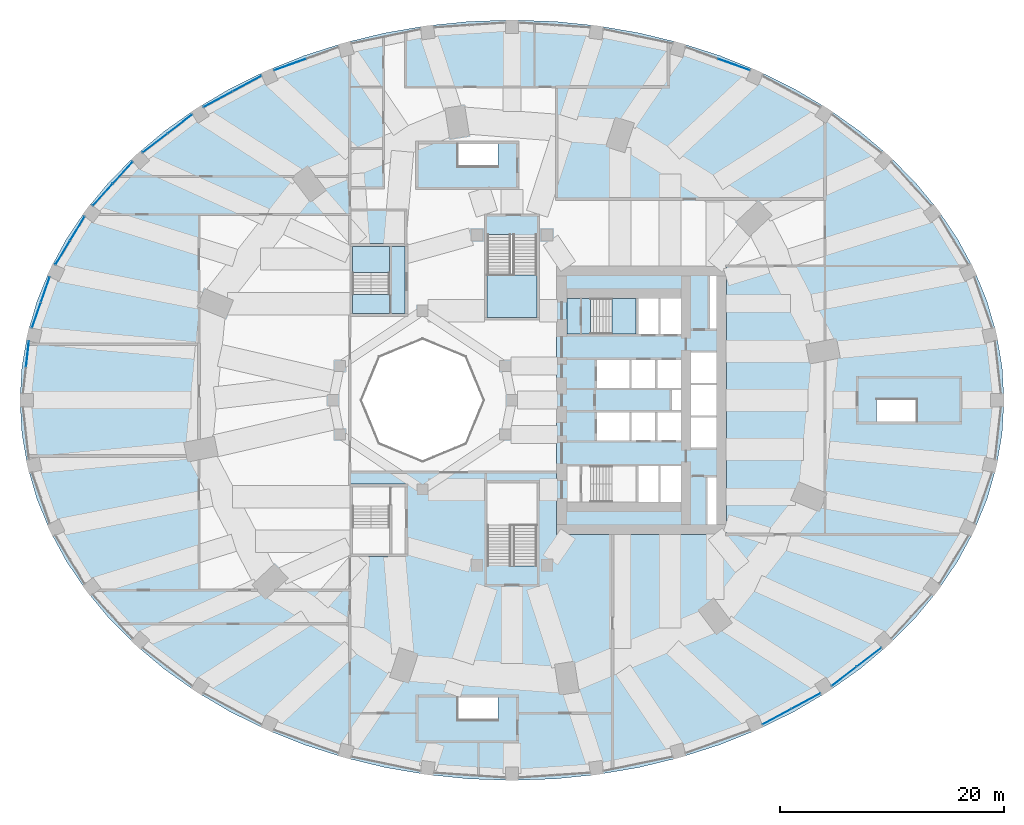
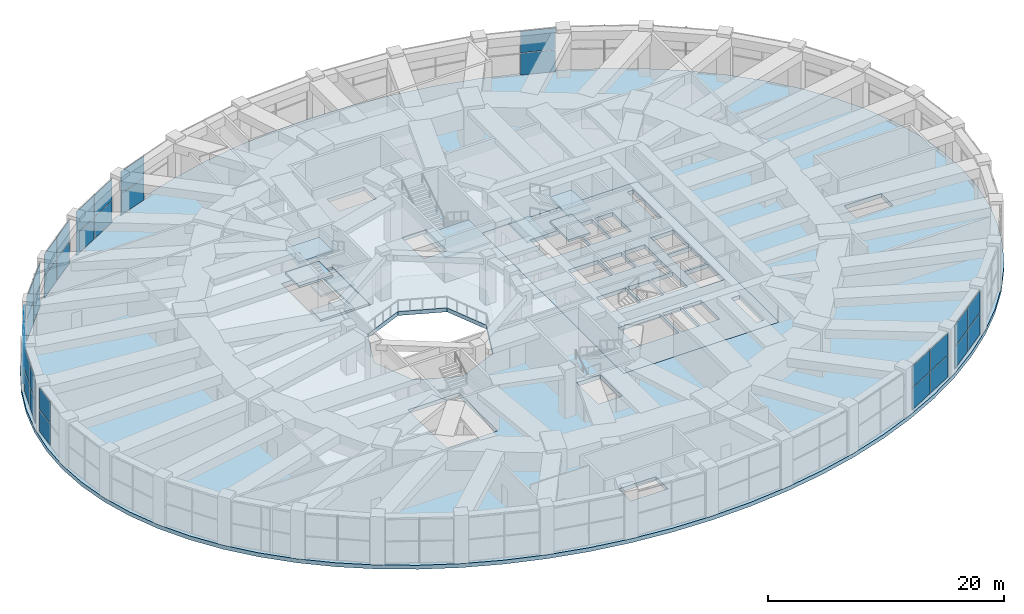
# One storey, part 19 of 30: 34 plates, 11 slabs, 13 elements without a shape of their own.
"""IFC4 building model written with IfcOpenShell, lengths in metres."""

from ifc_helpers import new_model, si_unit, direction, frame, origin, origin_2d, place, context, subcontext, project, spatial, polyline, rectangle, outline, extrude, material, layer, layer_set, type_object, element, aggregate, save


model = new_model("IFC4")

# Units and contexts
model_context = context("Model", 3, precision=1e-05, world=origin(), true_north=direction((0.0, 1.0)))
body_context = subcontext(model_context, "Body", "Model", "MODEL_VIEW")
ifc_project = project(units=[si_unit("LENGTHUNIT", "METRE"), si_unit("AREAUNIT", "SQUARE_METRE"), si_unit("VOLUMEUNIT", "CUBIC_METRE"), si_unit("PLANEANGLEUNIT", "RADIAN"), si_unit("MASSUNIT", "GRAM", prefix="KILO")], contexts=[model_context])

# Site, building, storey
site_placement = place(None, origin())
site = spatial("IfcSite", under=ifc_project, at=site_placement, CompositionType="ELEMENT")
building_placement = place(site_placement, origin())
building = spatial("IfcBuilding", under=site, at=building_placement, Name="Taillehof Tower", CompositionType="ELEMENT")
storey_placement = place(building_placement, frame((0.0, 0.0, 12.5)))
storey = spatial("IfcBuildingStorey", under=building, at=storey_placement, Name="L02", CompositionType="ELEMENT", Elevation=12.5)

# Slabs
ifc_material_1 = material(Name="Concrete C40/50", Category="concrete")
ifc_layer_1 = layer(ifc_material_1, 0.409912109375)
ifc_layer_set_1 = layer_set([ifc_layer_1], Name="Core floor slab C40/50 410")
slab_type_1 = type_object("IfcSlabType", Name="Core floor slab C40/50 410", PredefinedType="FLOOR", material=ifc_layer_set_1)
slab_1_placement = place(storey_placement, frame((0.0, 0.0, -0.409912109375)))
element("IfcSlab", 1, at=slab_1_placement, inside=storey, type_object=slab_type_1, Name="Core floor L02", PredefinedType="FLOOR", context=body_context, shape_type="SweptSolid", body=[
    extrude(outline(polyline([(4.0, -12.0), (4.0, 12.0), (19.199951171875, 12.0), (19.199951171875, -12.0), (4.0, -12.0)]), holes=[polyline([(7.00048828125, -9.10009765625), (11.10009765625, -9.10009765625), (11.10009765625, -5.89990234375), (7.00048828125, -5.89990234375), (7.00048828125, -9.10009765625)]), polyline([(13.10009765625, -9.10009765625), (13.10009765625, -5.89990234375), (11.300048828125, -5.89990234375), (11.300048828125, -9.10009765625), (13.10009765625, -9.10009765625)]), polyline([(10.5, -3.60009765625), (10.5, -1.10009765625), (7.60009765625, -1.10009765625), (7.60009765625, -3.60009765625), (10.5, -3.60009765625)]), polyline([(12.800048828125, -3.60009765625), (12.800048828125, -1.10009765625), (10.699951171875, -1.10009765625), (10.699951171875, -3.60009765625), (12.800048828125, -3.60009765625)]), polyline([(10.5, 1.10009765625), (10.5, 3.60009765625), (7.60009765625, 3.60009765625), (7.60009765625, 1.10009765625), (10.5, 1.10009765625)]), polyline([(12.800048828125, 1.10009765625), (12.800048828125, 3.60009765625), (10.699951171875, 3.60009765625), (10.699951171875, 1.10009765625), (12.800048828125, 1.10009765625)]), polyline([(15.10009765625, 1.10009765625), (15.10009765625, 3.60009765625), (13.0, 3.60009765625), (13.0, 1.10009765625), (15.10009765625, 1.10009765625)]), polyline([(11.300048828125, 5.89990234375), (13.10009765625, 5.89990234375), (13.10009765625, 9.10009765625), (11.300048828125, 9.10009765625), (11.300048828125, 5.89990234375)]), polyline([(7.00048828125, 5.89990234375), (11.10009765625, 5.89990234375), (11.10009765625, 9.10009765625), (7.00048828125, 9.10009765625), (7.00048828125, 5.89990234375)]), polyline([(18.300048828125, -11.10009765625), (18.300048828125, -6.89990234375), (17.5, -6.89990234375), (17.5, -11.10009765625), (18.300048828125, -11.10009765625)]), polyline([(15.10009765625, -9.10009765625), (15.10009765625, -5.89990234375), (13.300048828125, -5.89990234375), (13.300048828125, -9.10009765625), (15.10009765625, -9.10009765625)]), polyline([(18.300048828125, -4.25), (18.300048828125, -1.550048828125), (16.0, -1.550048828125), (16.0, -4.25), (18.300048828125, -4.25)]), polyline([(15.10009765625, -3.60009765625), (15.10009765625, -1.10009765625), (13.0, -1.10009765625), (13.0, -3.60009765625), (15.10009765625, -3.60009765625)]), polyline([(15.10009765625, -0.89990234375), (15.10009765625, 0.89990234375), (14.300048828125, 0.89990234375), (14.300048828125, -0.89990234375), (15.10009765625, -0.89990234375)]), polyline([(18.300048828125, -1.35009765625), (18.300048828125, 1.35009765625), (16.0, 1.35009765625), (16.0, -1.35009765625), (18.300048828125, -1.35009765625)]), polyline([(18.300048828125, 1.550048828125), (18.300048828125, 4.25), (16.0, 4.25), (16.0, 1.550048828125), (18.300048828125, 1.550048828125)]), polyline([(13.300048828125, 5.89990234375), (15.10009765625, 5.89990234375), (15.10009765625, 9.10009765625), (13.300048828125, 9.10009765625), (13.300048828125, 5.89990234375)]), polyline([(17.699951171875, 6.39990234375), (18.300048828125, 6.39990234375), (18.300048828125, 11.10009765625), (17.699951171875, 11.10009765625), (17.699951171875, 6.39990234375)])]), origin(), (0.0, 0.0, 1.0), 0.409912109375),
])
ifc_material_2 = material(Name="Concrete C40/50", Category="concrete")
ifc_layer_2 = layer(ifc_material_2, 0.409912109375)
ifc_layer_set_2 = layer_set([ifc_layer_2], Name="Floor slab 410")
slab_type_2 = type_object("IfcSlabType", Name="Floor slab 410", PredefinedType="FLOOR", material=ifc_layer_set_2)
slab_2_placement = place(storey_placement, frame((0.0, 0.0, -0.409912109375)))
element("IfcSlab", 2, at=slab_2_placement, inside=storey, type_object=slab_type_2, Name="Floor slab L02", PredefinedType="FLOOR", context=body_context, shape_type="SweptSolid", body=[
    extrude(outline(polyline([(44.0, 0.0), (43.83251953125, 2.96337890625), (43.33154296875, 5.904052734375), (42.500732421875, 8.7998046875), (41.346435546875, 11.628662109375), (39.87744140625, 14.368896484375), (38.10498046875, 17.0), (36.042724609375, 19.501708984375), (33.7060546875, 21.854736328125), (31.11279296875, 24.04150390625), (28.28271484375, 26.04541015625), (25.2373046875, 27.851318359375), (22.0, 29.44482421875), (18.59521484375, 30.814453125), (15.048828125, 31.949462890625), (11.387939453125, 32.841552734375), (7.640380859375, 33.4833984375), (3.8349609375, 33.87060546875), (0.0, 34.0), (-3.8349609375, 33.87060546875), (-7.640380859375, 33.4833984375), (-11.387939453125, 32.841552734375), (-15.048828125, 31.949462890625), (-18.59521484375, 30.814453125), (-22.0, 29.44482421875), (-25.2373046875, 27.851318359375), (-28.28271484375, 26.04541015625), (-31.11279296875, 24.04150390625), (-33.7060546875, 21.854736328125), (-36.042724609375, 19.501708984375), (-38.10498046875, 17.0), (-39.87744140625, 14.368896484375), (-41.346435546875, 11.628662109375), (-42.500732421875, 8.7998046875), (-43.33154296875, 5.904052734375), (-43.83251953125, 2.96337890625), (-44.0, 0.0), (-43.83251953125, -2.96337890625), (-43.33154296875, -5.904052734375), (-42.500732421875, -8.7998046875), (-41.346435546875, -11.628662109375), (-39.87744140625, -14.368896484375), (-38.10498046875, -17.0), (-36.042724609375, -19.501708984375), (-33.7060546875, -21.854736328125), (-31.11279296875, -24.04150390625), (-28.28271484375, -26.04541015625), (-25.2373046875, -27.851318359375), (-22.0, -29.44482421875), (-18.59521484375, -30.814453125), (-15.048828125, -31.949462890625), (-11.387939453125, -32.841552734375), (-7.640380859375, -33.4833984375), (-3.8349609375, -33.87060546875), (0.0, -34.0), (3.8349609375, -33.87060546875), (7.640380859375, -33.4833984375), (11.387939453125, -32.841552734375), (15.048828125, -31.949462890625), (18.59521484375, -30.814453125), (22.0, -29.44482421875), (25.2373046875, -27.851318359375), (28.28271484375, -26.04541015625), (31.11279296875, -24.04150390625), (33.7060546875, -21.854736328125), (36.042724609375, -19.501708984375), (38.10498046875, -17.0), (39.87744140625, -14.368896484375), (41.346435546875, -11.628662109375), (42.500732421875, -8.7998046875), (43.33154296875, -5.904052734375), (43.83251953125, -2.96337890625), (44.0, 0.0)]), holes=[polyline([(-1.240478515625, -26.574951171875), (-1.240478515625, -28.625), (-4.8798828125, -28.625), (-4.8798828125, -26.574951171875), (-1.240478515625, -26.574951171875)]), polyline([(2.22509765625, -14.819580078125), (-0.125, -14.819580078125), (-0.125, -11.179931640625), (2.22509765625, -11.179931640625), (2.22509765625, -14.819580078125)]), polyline([(-9.5, -7.5), (-9.5, -14.0), (-14.5, -14.0), (-14.5, -7.5), (-9.5, -7.5)]), polyline([(32.6005859375, -1.925048828125), (32.6005859375, 0.125), (36.239990234375, 0.125), (36.239990234375, -1.925048828125), (32.6005859375, -1.925048828125)]), polyline([(-11.88916015625, -3.88916015625), (-13.5, 0.0), (-11.88916015625, 3.88916015625), (-8.0, 5.5), (-4.11083984375, 3.88916015625), (-2.5, 0.0), (-4.11083984375, -3.88916015625), (-8.0, -5.5), (-11.88916015625, -3.88916015625)]), polyline([(19.199951171875, -12.0), (4.0, -12.0), (4.0, 12.0), (19.199951171875, 12.0), (19.199951171875, -12.0)]), polyline([(-9.5, 14.0), (-9.5, 7.5), (-14.5, 7.5), (-14.5, 14.0), (-9.5, 14.0)]), polyline([(0.125, 14.819580078125), (0.125, 11.179931640625), (-2.22509765625, 11.179931640625), (-2.22509765625, 14.819580078125), (0.125, 14.819580078125)]), polyline([(-1.240478515625, 20.875), (-4.8798828125, 20.875), (-4.8798828125, 22.925048828125), (-1.240478515625, 22.925048828125), (-1.240478515625, 20.875)])]), origin(), (0.0, 0.0, 1.0), 0.409912109375),
])

# Curtain wall, plates
ifc_material_3 = material(Name="Aluminium curtain wall with Clear low-emissivity double glazing", Category="aluminium")
curtain_wall_type = type_object("IfcCurtainWallType", Name="Podium window wall curtain wall", PredefinedType="USERDEFINED", material=ifc_material_3)
curtain_wall_1_placement = place(storey_placement, origin())
curtain_wall_1 = element("IfcCurtainWall", 3, at=curtain_wall_1_placement, inside=storey, type_object=curtain_wall_type, Name="Podium window wall L02 bay 7", ObjectType="WINDOW WALL", PredefinedType="USERDEFINED")
ifc_material_4 = material(Name="Clear low-emissivity double glazing", Category="glass")
ifc_layer_3 = layer(ifc_material_4, 0.028076171875)
ifc_layer_set_3 = layer_set([ifc_layer_3], Name="Podium window wall glass panel 28")
plate_type = type_object("IfcPlateType", Name="Podium window wall glass panel 28", PredefinedType="CURTAIN_PANEL", material=ifc_layer_set_3)
plate_1_placement = place(storey_placement, frame((19.851806640625, 30.01171875, 0.06005859375), z_axis=(0.0, 0.0, 1.0), x_axis=(-0.94121845058, 0.337798502496, 0.0)))
plate_1 = element("IfcPlate", 4, at=plate_1_placement, type_object=plate_type, Name="CT207 panel 1.1", PredefinedType="CURTAIN_PANEL", context=body_context, shape_type="SweptSolid", body=[
    extrude(rectangle(XDim=3.009765625, YDim=0.028076171875, at=origin_2d()), origin(), (0.0, 0.0, 1.0), 2.235107421875),
])
plate_2_placement = place(storey_placement, frame((19.851806640625, 30.01171875, 2.35498046875), z_axis=(0.0, 0.0, 1.0), x_axis=(-0.94121845058, 0.337798502496, 0.0)))
plate_2 = element("IfcPlate", 5, at=plate_2_placement, type_object=plate_type, Name="CT207 panel 1.2", PredefinedType="CURTAIN_PANEL", context=body_context, shape_type="SweptSolid", body=[
    extrude(rectangle(XDim=3.009765625, YDim=0.028076171875, at=origin_2d()), origin(), (0.0, 0.0, 1.0), 2.235107421875),
])
aggregate(curtain_wall_1, [plate_1, plate_2])

curtain_wall_2_placement = place(storey_placement, origin())
curtain_wall_2 = element("IfcCurtainWall", 6, at=curtain_wall_2_placement, inside=storey, type_object=curtain_wall_type, Name="Podium window wall L02 bay 12", ObjectType="WINDOW WALL", PredefinedType="USERDEFINED")
plate_3_placement = place(storey_placement, frame((-19.851806640625, 30.01171875, 0.06005859375), z_axis=(0.0, 0.0, 1.0), x_axis=(-0.94121845058, -0.337798502496, 0.0)))
plate_3 = element("IfcPlate", 7, at=plate_3_placement, type_object=plate_type, Name="CT212 panel 2.1", PredefinedType="CURTAIN_PANEL", context=body_context, shape_type="SweptSolid", body=[
    extrude(rectangle(XDim=3.009765625, YDim=0.028076171875, at=origin_2d()), origin(), (0.0, 0.0, 1.0), 2.235107421875),
])
plate_4_placement = place(storey_placement, frame((-19.851806640625, 30.01171875, 2.35498046875), z_axis=(0.0, 0.0, 1.0), x_axis=(-0.94121845058, -0.337798502496, 0.0)))
plate_4 = element("IfcPlate", 8, at=plate_4_placement, type_object=plate_type, Name="CT212 panel 2.2", PredefinedType="CURTAIN_PANEL", context=body_context, shape_type="SweptSolid", body=[
    extrude(rectangle(XDim=3.009765625, YDim=0.028076171875, at=origin_2d()), origin(), (0.0, 0.0, 1.0), 2.235107421875),
])
aggregate(curtain_wall_2, [plate_3, plate_4])

curtain_wall_3_placement = place(storey_placement, origin())
curtain_wall_3 = element("IfcCurtainWall", 9, at=curtain_wall_3_placement, inside=storey, type_object=curtain_wall_type, Name="Podium window wall L02 bay 13", ObjectType="WINDOW WALL", PredefinedType="USERDEFINED")
plate_5_placement = place(storey_placement, frame((-23.6904296875, 28.30517578125, 0.06005859375), z_axis=(0.0, 0.0, 1.0), x_axis=(-0.880301433958, -0.474414781992, 0.0)))
plate_5 = element("IfcPlate", 10, at=plate_5_placement, type_object=plate_type, Name="CT213 panel 1.1", PredefinedType="CURTAIN_PANEL", context=body_context, shape_type="SweptSolid", body=[
    extrude(rectangle(XDim=2.888916015625, YDim=0.028076171875, at=origin_2d()), origin(), (0.0, 0.0, 1.0), 2.235107421875),
])
plate_6_placement = place(storey_placement, frame((-23.6904296875, 28.30517578125, 2.35498046875), z_axis=(0.0, 0.0, 1.0), x_axis=(-0.880301433958, -0.474414781992, 0.0)))
plate_6 = element("IfcPlate", 11, at=plate_6_placement, type_object=plate_type, Name="CT213 panel 1.2", PredefinedType="CURTAIN_PANEL", context=body_context, shape_type="SweptSolid", body=[
    extrude(rectangle(XDim=2.888916015625, YDim=0.028076171875, at=origin_2d()), origin(), (0.0, 0.0, 1.0), 2.235107421875),
])
plate_7_placement = place(storey_placement, frame((-26.286376953125, 26.906005859375, 0.06005859375), z_axis=(0.0, 0.0, 1.0), x_axis=(-0.880301433958, -0.474414781992, 0.0)))
plate_7 = element("IfcPlate", 12, at=plate_7_placement, type_object=plate_type, Name="CT213 panel 2.1", PredefinedType="CURTAIN_PANEL", context=body_context, shape_type="SweptSolid", body=[
    extrude(rectangle(XDim=2.888916015625, YDim=0.028076171875, at=origin_2d()), origin(), (0.0, 0.0, 1.0), 2.235107421875),
])
plate_8_placement = place(storey_placement, frame((-26.286376953125, 26.906005859375, 2.35498046875), z_axis=(0.0, 0.0, 1.0), x_axis=(-0.880301433958, -0.474414781992, 0.0)))
plate_8 = element("IfcPlate", 13, at=plate_8_placement, type_object=plate_type, Name="CT213 panel 2.2", PredefinedType="CURTAIN_PANEL", context=body_context, shape_type="SweptSolid", body=[
    extrude(rectangle(XDim=2.888916015625, YDim=0.028076171875, at=origin_2d()), origin(), (0.0, 0.0, 1.0), 2.235107421875),
])
aggregate(curtain_wall_3, [plate_5, plate_6, plate_7, plate_8])

curtain_wall_4_placement = place(storey_placement, origin())
curtain_wall_4 = element("IfcCurtainWall", 14, at=curtain_wall_4_placement, inside=storey, type_object=curtain_wall_type, Name="Podium window wall L02 bay 14", ObjectType="WINDOW WALL", PredefinedType="USERDEFINED")
plate_9_placement = place(storey_placement, frame((-29.703369140625, 24.697998046875, 0.06005859375), z_axis=(0.0, 0.0, 1.0), x_axis=(-0.792453709228, -0.60993206075, 0.0)))
plate_9 = element("IfcPlate", 15, at=plate_9_placement, type_object=plate_type, Name="CT214 panel 1.1", PredefinedType="CURTAIN_PANEL", context=body_context, shape_type="SweptSolid", body=[
    extrude(rectangle(XDim=2.74658203125, YDim=0.028076171875, at=origin_2d()), origin(), (0.0, 0.0, 1.0), 2.235107421875),
])
plate_10_placement = place(storey_placement, frame((-29.703369140625, 24.697998046875, 2.35498046875), z_axis=(0.0, 0.0, 1.0), x_axis=(-0.792453709228, -0.60993206075, 0.0)))
plate_10 = element("IfcPlate", 16, at=plate_10_placement, type_object=plate_type, Name="CT214 panel 1.2", PredefinedType="CURTAIN_PANEL", context=body_context, shape_type="SweptSolid", body=[
    extrude(rectangle(XDim=2.74658203125, YDim=0.028076171875, at=origin_2d()), origin(), (0.0, 0.0, 1.0), 2.235107421875),
])
plate_11_placement = place(storey_placement, frame((-31.927490234375, 22.986083984375, 0.06005859375), z_axis=(0.0, 0.0, 1.0), x_axis=(-0.792453709228, -0.60993206075, 0.0)))
plate_11 = element("IfcPlate", 17, at=plate_11_placement, type_object=plate_type, Name="CT214 panel 2.1", PredefinedType="CURTAIN_PANEL", context=body_context, shape_type="SweptSolid", body=[
    extrude(rectangle(XDim=2.74658203125, YDim=0.028076171875, at=origin_2d()), origin(), (0.0, 0.0, 1.0), 2.235107421875),
])
plate_12_placement = place(storey_placement, frame((-31.927490234375, 22.986083984375, 2.35498046875), z_axis=(0.0, 0.0, 1.0), x_axis=(-0.792453709228, -0.60993206075, 0.0)))
plate_12 = element("IfcPlate", 18, at=plate_12_placement, type_object=plate_type, Name="CT214 panel 2.2", PredefinedType="CURTAIN_PANEL", context=body_context, shape_type="SweptSolid", body=[
    extrude(rectangle(XDim=2.74658203125, YDim=0.028076171875, at=origin_2d()), origin(), (0.0, 0.0, 1.0), 2.235107421875),
])
aggregate(curtain_wall_4, [plate_9, plate_10, plate_11, plate_12])

curtain_wall_5_placement = place(storey_placement, origin())
curtain_wall_5 = element("IfcCurtainWall", 19, at=curtain_wall_5_placement, inside=storey, type_object=curtain_wall_type, Name="Podium window wall L02 bay 15", ObjectType="WINDOW WALL", PredefinedType="USERDEFINED")
plate_13_placement = place(storey_placement, frame((-34.81640625, 20.333984375, 0.06005859375), z_axis=(0.0, 0.0, 1.0), x_axis=(-0.672928961769, -0.739707112587, 0.0)))
plate_13 = element("IfcPlate", 20, at=plate_13_placement, type_object=plate_type, Name="CT215 panel 1.1", PredefinedType="CURTAIN_PANEL", context=body_context, shape_type="SweptSolid", body=[
    extrude(rectangle(XDim=2.59814453125, YDim=0.028076171875, at=origin_2d()), origin(), (0.0, 0.0, 1.0), 2.235107421875),
])
plate_14_placement = place(storey_placement, frame((-34.81640625, 20.333984375, 2.35498046875), z_axis=(0.0, 0.0, 1.0), x_axis=(-0.672928961769, -0.739707112587, 0.0)))
plate_14 = element("IfcPlate", 21, at=plate_14_placement, type_object=plate_type, Name="CT215 panel 1.2", PredefinedType="CURTAIN_PANEL", context=body_context, shape_type="SweptSolid", body=[
    extrude(rectangle(XDim=2.59814453125, YDim=0.028076171875, at=origin_2d()), origin(), (0.0, 0.0, 1.0), 2.235107421875),
])
plate_15_placement = place(storey_placement, frame((-36.605224609375, 18.367919921875, 0.06005859375), z_axis=(0.0, 0.0, 1.0), x_axis=(-0.672928961769, -0.739707112587, 0.0)))
plate_15 = element("IfcPlate", 22, at=plate_15_placement, type_object=plate_type, Name="CT215 panel 2.1", PredefinedType="CURTAIN_PANEL", context=body_context, shape_type="SweptSolid", body=[
    extrude(rectangle(XDim=2.59814453125, YDim=0.028076171875, at=origin_2d()), origin(), (0.0, 0.0, 1.0), 2.235107421875),
])
plate_16_placement = place(storey_placement, frame((-36.605224609375, 18.367919921875, 2.35498046875), z_axis=(0.0, 0.0, 1.0), x_axis=(-0.672928961769, -0.739707112587, 0.0)))
plate_16 = element("IfcPlate", 23, at=plate_16_placement, type_object=plate_type, Name="CT215 panel 2.2", PredefinedType="CURTAIN_PANEL", context=body_context, shape_type="SweptSolid", body=[
    extrude(rectangle(XDim=2.59814453125, YDim=0.028076171875, at=origin_2d()), origin(), (0.0, 0.0, 1.0), 2.235107421875),
])
aggregate(curtain_wall_5, [plate_13, plate_14, plate_15, plate_16])

curtain_wall_6_placement = place(storey_placement, origin())
curtain_wall_6 = element("IfcCurtainWall", 24, at=curtain_wall_6_placement, inside=storey, type_object=curtain_wall_type, Name="Podium window wall L02 bay 16", ObjectType="WINDOW WALL", PredefinedType="USERDEFINED")
plate_17_placement = place(storey_placement, frame((-38.870849609375, 15.3447265625, 0.06005859375), z_axis=(0.0, 0.0, 1.0), x_axis=(-0.518151483931, -0.855288863309, 0.0)))
plate_17 = element("IfcPlate", 25, at=plate_17_placement, type_object=plate_type, Name="CT216 panel 1.1", PredefinedType="CURTAIN_PANEL", context=body_context, shape_type="SweptSolid", body=[
    extrude(rectangle(XDim=2.4619140625, YDim=0.028076171875, at=origin_2d()), origin(), (0.0, 0.0, 1.0), 2.235107421875),
])
plate_18_placement = place(storey_placement, frame((-38.870849609375, 15.3447265625, 2.35498046875), z_axis=(0.0, 0.0, 1.0), x_axis=(-0.518151483931, -0.855288863309, 0.0)))
plate_18 = element("IfcPlate", 26, at=plate_18_placement, type_object=plate_type, Name="CT216 panel 1.2", PredefinedType="CURTAIN_PANEL", context=body_context, shape_type="SweptSolid", body=[
    extrude(rectangle(XDim=2.4619140625, YDim=0.028076171875, at=origin_2d()), origin(), (0.0, 0.0, 1.0), 2.235107421875),
])
plate_19_placement = place(storey_placement, frame((-40.177490234375, 13.18798828125, 0.06005859375), z_axis=(0.0, 0.0, 1.0), x_axis=(-0.518151483931, -0.855288863309, 0.0)))
plate_19 = element("IfcPlate", 27, at=plate_19_placement, type_object=plate_type, Name="CT216 panel 2.1", PredefinedType="CURTAIN_PANEL", context=body_context, shape_type="SweptSolid", body=[
    extrude(rectangle(XDim=2.4619140625, YDim=0.028076171875, at=origin_2d()), origin(), (0.0, 0.0, 1.0), 2.235107421875),
])
plate_20_placement = place(storey_placement, frame((-40.177490234375, 13.18798828125, 2.35498046875), z_axis=(0.0, 0.0, 1.0), x_axis=(-0.518151483931, -0.855288863309, 0.0)))
plate_20 = element("IfcPlate", 28, at=plate_20_placement, type_object=plate_type, Name="CT216 panel 2.2", PredefinedType="CURTAIN_PANEL", context=body_context, shape_type="SweptSolid", body=[
    extrude(rectangle(XDim=2.4619140625, YDim=0.028076171875, at=origin_2d()), origin(), (0.0, 0.0, 1.0), 2.235107421875),
])
aggregate(curtain_wall_6, [plate_17, plate_18, plate_19, plate_20])

curtain_wall_7_placement = place(storey_placement, origin())
curtain_wall_7 = element("IfcCurtainWall", 29, at=curtain_wall_7_placement, inside=storey, type_object=curtain_wall_type, Name="Podium window wall L02 bay 17", ObjectType="WINDOW WALL", PredefinedType="USERDEFINED")
plate_21_placement = place(storey_placement, frame((-41.7392578125, 9.88232421875, 0.06005859375), z_axis=(0.0, 0.0, 1.0), x_axis=(-0.328757610934, -0.944414333464, 0.0)))
plate_21 = element("IfcPlate", 30, at=plate_21_placement, type_object=plate_type, Name="CT217 panel 1.1", PredefinedType="CURTAIN_PANEL", context=body_context, shape_type="SweptSolid", body=[
    extrude(rectangle(XDim=2.35693359375, YDim=0.028076171875, at=origin_2d()), origin(), (0.0, 0.0, 1.0), 2.235107421875),
])
plate_22_placement = place(storey_placement, frame((-41.7392578125, 9.88232421875, 2.35498046875), z_axis=(0.0, 0.0, 1.0), x_axis=(-0.328757610934, -0.944414333464, 0.0)))
plate_22 = element("IfcPlate", 31, at=plate_22_placement, type_object=plate_type, Name="CT217 panel 1.2", PredefinedType="CURTAIN_PANEL", context=body_context, shape_type="SweptSolid", body=[
    extrude(rectangle(XDim=2.35693359375, YDim=0.028076171875, at=origin_2d()), origin(), (0.0, 0.0, 1.0), 2.235107421875),
])
plate_23_placement = place(storey_placement, frame((-42.53369140625, 7.599853515625, 0.06005859375), z_axis=(0.0, 0.0, 1.0), x_axis=(-0.328757610934, -0.944414333464, 0.0)))
plate_23 = element("IfcPlate", 32, at=plate_23_placement, type_object=plate_type, Name="CT217 panel 2.1", PredefinedType="CURTAIN_PANEL", context=body_context, shape_type="SweptSolid", body=[
    extrude(rectangle(XDim=2.35693359375, YDim=0.028076171875, at=origin_2d()), origin(), (0.0, 0.0, 1.0), 2.235107421875),
])
plate_24_placement = place(storey_placement, frame((-42.53369140625, 7.599853515625, 2.35498046875), z_axis=(0.0, 0.0, 1.0), x_axis=(-0.328757610934, -0.944414333464, 0.0)))
plate_24 = element("IfcPlate", 33, at=plate_24_placement, type_object=plate_type, Name="CT217 panel 2.2", PredefinedType="CURTAIN_PANEL", context=body_context, shape_type="SweptSolid", body=[
    extrude(rectangle(XDim=2.35693359375, YDim=0.028076171875, at=origin_2d()), origin(), (0.0, 0.0, 1.0), 2.235107421875),
])
aggregate(curtain_wall_7, [plate_21, plate_22, plate_23, plate_24])

curtain_wall_8_placement = place(storey_placement, origin())
curtain_wall_8 = element("IfcCurtainWall", 34, at=curtain_wall_8_placement, inside=storey, type_object=curtain_wall_type, Name="Podium window wall L02 bay 18", ObjectType="WINDOW WALL", PredefinedType="USERDEFINED")
plate_25_placement = place(storey_placement, frame((-43.330810546875, 4.116455078125, 0.06005859375), z_axis=(0.0, 0.0, 1.0), x_axis=(-0.112932433888, -0.993602669771, 0.0)))
plate_25 = element("IfcPlate", 35, at=plate_25_placement, type_object=plate_type, Name="CT218 panel 1.1", PredefinedType="CURTAIN_PANEL", context=body_context, shape_type="SweptSolid", body=[
    extrude(rectangle(XDim=2.299560546875, YDim=0.028076171875, at=origin_2d()), origin(), (0.0, 0.0, 1.0), 2.235107421875),
])
plate_26_placement = place(storey_placement, frame((-43.330810546875, 4.116455078125, 2.35498046875), z_axis=(0.0, 0.0, 1.0), x_axis=(-0.112932433888, -0.993602669771, 0.0)))
plate_26 = element("IfcPlate", 36, at=plate_26_placement, type_object=plate_type, Name="CT218 panel 1.2", PredefinedType="CURTAIN_PANEL", context=body_context, shape_type="SweptSolid", body=[
    extrude(rectangle(XDim=2.299560546875, YDim=0.028076171875, at=origin_2d()), origin(), (0.0, 0.0, 1.0), 2.235107421875),
])
aggregate(curtain_wall_8, [plate_25, plate_26])

curtain_wall_9_placement = place(storey_placement, origin())
curtain_wall_9 = element("IfcCurtainWall", 37, at=curtain_wall_9_placement, inside=storey, type_object=curtain_wall_type, Name="Podium window wall L02 bay 31", ObjectType="WINDOW WALL", PredefinedType="USERDEFINED")
plate_27_placement = place(storey_placement, frame((23.6904296875, -28.30517578125, 0.06005859375), z_axis=(0.0, 0.0, 1.0), x_axis=(0.880301433958, 0.474414781992, 0.0)))
plate_27 = element("IfcPlate", 38, at=plate_27_placement, type_object=plate_type, Name="CT231 panel 1.1", PredefinedType="CURTAIN_PANEL", context=body_context, shape_type="SweptSolid", body=[
    extrude(rectangle(XDim=2.888916015625, YDim=0.028076171875, at=origin_2d()), origin(), (0.0, 0.0, 1.0), 2.235107421875),
])
plate_28_placement = place(storey_placement, frame((23.6904296875, -28.30517578125, 2.35498046875), z_axis=(0.0, 0.0, 1.0), x_axis=(0.880301433958, 0.474414781992, 0.0)))
plate_28 = element("IfcPlate", 39, at=plate_28_placement, type_object=plate_type, Name="CT231 panel 1.2", PredefinedType="CURTAIN_PANEL", context=body_context, shape_type="SweptSolid", body=[
    extrude(rectangle(XDim=2.888916015625, YDim=0.028076171875, at=origin_2d()), origin(), (0.0, 0.0, 1.0), 2.235107421875),
])
plate_29_placement = place(storey_placement, frame((26.286376953125, -26.906005859375, 0.06005859375), z_axis=(0.0, 0.0, 1.0), x_axis=(0.880301433958, 0.474414781992, 0.0)))
plate_29 = element("IfcPlate", 40, at=plate_29_placement, type_object=plate_type, Name="CT231 panel 2.1", PredefinedType="CURTAIN_PANEL", context=body_context, shape_type="SweptSolid", body=[
    extrude(rectangle(XDim=2.888916015625, YDim=0.028076171875, at=origin_2d()), origin(), (0.0, 0.0, 1.0), 2.235107421875),
])
plate_30_placement = place(storey_placement, frame((26.286376953125, -26.906005859375, 2.35498046875), z_axis=(0.0, 0.0, 1.0), x_axis=(0.880301433958, 0.474414781992, 0.0)))
plate_30 = element("IfcPlate", 41, at=plate_30_placement, type_object=plate_type, Name="CT231 panel 2.2", PredefinedType="CURTAIN_PANEL", context=body_context, shape_type="SweptSolid", body=[
    extrude(rectangle(XDim=2.888916015625, YDim=0.028076171875, at=origin_2d()), origin(), (0.0, 0.0, 1.0), 2.235107421875),
])
aggregate(curtain_wall_9, [plate_27, plate_28, plate_29, plate_30])

curtain_wall_10_placement = place(storey_placement, origin())
curtain_wall_10 = element("IfcCurtainWall", 42, at=curtain_wall_10_placement, inside=storey, type_object=curtain_wall_type, Name="Podium window wall L02 bay 32", ObjectType="WINDOW WALL", PredefinedType="USERDEFINED")
plate_31_placement = place(storey_placement, frame((29.703369140625, -24.697998046875, 0.06005859375), z_axis=(0.0, 0.0, 1.0), x_axis=(0.792453709228, 0.60993206075, 0.0)))
plate_31 = element("IfcPlate", 43, at=plate_31_placement, type_object=plate_type, Name="CT232 panel 1.1", PredefinedType="CURTAIN_PANEL", context=body_context, shape_type="SweptSolid", body=[
    extrude(rectangle(XDim=2.74658203125, YDim=0.028076171875, at=origin_2d()), origin(), (0.0, 0.0, 1.0), 2.235107421875),
])
plate_32_placement = place(storey_placement, frame((29.703369140625, -24.697998046875, 2.35498046875), z_axis=(0.0, 0.0, 1.0), x_axis=(0.792453709228, 0.60993206075, 0.0)))
plate_32 = element("IfcPlate", 44, at=plate_32_placement, type_object=plate_type, Name="CT232 panel 1.2", PredefinedType="CURTAIN_PANEL", context=body_context, shape_type="SweptSolid", body=[
    extrude(rectangle(XDim=2.74658203125, YDim=0.028076171875, at=origin_2d()), origin(), (0.0, 0.0, 1.0), 2.235107421875),
])
plate_33_placement = place(storey_placement, frame((31.927490234375, -22.986083984375, 0.06005859375), z_axis=(0.0, 0.0, 1.0), x_axis=(0.792453709228, 0.60993206075, 0.0)))
plate_33 = element("IfcPlate", 45, at=plate_33_placement, type_object=plate_type, Name="CT232 panel 2.1", PredefinedType="CURTAIN_PANEL", context=body_context, shape_type="SweptSolid", body=[
    extrude(rectangle(XDim=2.74658203125, YDim=0.028076171875, at=origin_2d()), origin(), (0.0, 0.0, 1.0), 2.235107421875),
])
plate_34_placement = place(storey_placement, frame((31.927490234375, -22.986083984375, 2.35498046875), z_axis=(0.0, 0.0, 1.0), x_axis=(0.792453709228, 0.60993206075, 0.0)))
plate_34 = element("IfcPlate", 46, at=plate_34_placement, type_object=plate_type, Name="CT232 panel 2.2", PredefinedType="CURTAIN_PANEL", context=body_context, shape_type="SweptSolid", body=[
    extrude(rectangle(XDim=2.74658203125, YDim=0.028076171875, at=origin_2d()), origin(), (0.0, 0.0, 1.0), 2.235107421875),
])
aggregate(curtain_wall_10, [plate_31, plate_32, plate_33, plate_34])

# Stair, slab
ifc_material_5 = material(Name="Concrete C30/37", Category="concrete")
stair_type_1 = type_object("IfcStairType", Name="Escape stair 2100 mm", PredefinedType="HALF_TURN_STAIR", material=ifc_material_5)
stair_1_placement = place(storey_placement, origin())
stair_1 = element("IfcStair", 47, at=stair_1_placement, inside=storey, type_object=stair_type_1, Name="Escape stair P1", PredefinedType="HALF_TURN_STAIR")
ifc_material_6 = material(Name="Concrete C30/37", Category="concrete")
ifc_layer_4 = layer(ifc_material_6, 0.199951171875)
ifc_layer_set_4 = layer_set([ifc_layer_4], Name="Stair landing 200 mm")
slab_type_3 = type_object("IfcSlabType", Name="Stair landing 200 mm", PredefinedType="LANDING", material=ifc_layer_set_4)
slab_3_placement = place(storey_placement, frame((0.0, 0.0, 2.300048828125)))
slab_3 = element("IfcSlab", 48, at=slab_3_placement, type_object=slab_type_3, Name="P1 landing 1", PredefinedType="LANDING", context=body_context, shape_type="SweptSolid", body=[
    extrude(outline(polyline([(2.22509765625, 11.179931640625), (-2.22509765625, 11.179931640625), (-2.22509765625, 7.39990234375), (2.22509765625, 7.39990234375), (2.22509765625, 11.179931640625)])), origin(), (0.0, 0.0, 1.0), 0.199951171875),
])
aggregate(stair_1, [slab_3])

# Stair, slabs
ifc_material_7 = material(Name="Concrete C40/50", Category="concrete")
stair_type_2 = type_object("IfcStairType", Name="Exit stair half-turn", PredefinedType="HALF_TURN_STAIR", material=ifc_material_7)
stair_2_placement = place(storey_placement, origin())
stair_2 = element("IfcStair", 49, at=stair_2_placement, inside=storey, type_object=stair_type_2, Name="Exit stair S1", PredefinedType="HALF_TURN_STAIR")
ifc_material_8 = material(Name="Concrete C40/50", Category="concrete")
ifc_layer_5 = layer(ifc_material_8, 0.2099609375)
ifc_layer_set_5 = layer_set([ifc_layer_5], Name="Stair landing C40/50 210")
slab_type_4 = type_object("IfcSlabType", Name="Stair landing C40/50 210", PredefinedType="LANDING", material=ifc_layer_set_5)
slab_4_placement = place(storey_placement, frame((0.0, 0.0, 1.0400390625)))
slab_4 = element("IfcSlab", 50, at=slab_4_placement, type_object=slab_type_4, Name="S1 landing 1", PredefinedType="LANDING", context=body_context, shape_type="SweptSolid", body=[
    extrude(outline(polyline([(8.9599609375, 5.89990234375), (11.10009765625, 5.89990234375), (11.10009765625, 9.10009765625), (8.9599609375, 9.10009765625), (8.9599609375, 5.89990234375)])), origin(), (0.0, 0.0, 1.0), 0.2099609375),
])
slab_5_placement = place(storey_placement, frame((0.0, 0.0, 2.2900390625)))
slab_5 = element("IfcSlab", 51, at=slab_5_placement, type_object=slab_type_4, Name="S1 landing 2", PredefinedType="LANDING", context=body_context, shape_type="SweptSolid", body=[
    extrude(outline(polyline([(4.89990234375, 5.89990234375), (7.0, 5.89990234375), (7.0, 9.10009765625), (4.89990234375, 9.10009765625), (4.89990234375, 5.89990234375)])), origin(), (0.0, 0.0, 1.0), 0.2099609375),
])
slab_6_placement = place(storey_placement, frame((0.0, 0.0, 3.5400390625)))
slab_6 = element("IfcSlab", 52, at=slab_6_placement, type_object=slab_type_4, Name="S1 landing 3", PredefinedType="LANDING", context=body_context, shape_type="SweptSolid", body=[
    extrude(outline(polyline([(8.9599609375, 5.89990234375), (11.10009765625, 5.89990234375), (11.10009765625, 9.10009765625), (8.9599609375, 9.10009765625), (8.9599609375, 5.89990234375)])), origin(), (0.0, 0.0, 1.0), 0.2099609375),
])
aggregate(stair_2, [slab_4, slab_5, slab_6])

stair_3_placement = place(storey_placement, origin())
stair_3 = element("IfcStair", 53, at=stair_3_placement, inside=storey, type_object=stair_type_2, Name="Exit stair S3", PredefinedType="HALF_TURN_STAIR")
slab_7_placement = place(storey_placement, frame((0.0, 0.0, 1.0400390625)))
slab_7 = element("IfcSlab", 54, at=slab_7_placement, type_object=slab_type_4, Name="S3 landing 1", PredefinedType="LANDING", context=body_context, shape_type="SweptSolid", body=[
    extrude(outline(polyline([(-14.25, 11.409912109375), (-14.25, 13.75), (-10.949951171875, 13.75), (-10.949951171875, 11.409912109375), (-14.25, 11.409912109375)])), origin(), (0.0, 0.0, 1.0), 0.2099609375),
])
slab_8_placement = place(storey_placement, frame((0.0, 0.0, 2.2900390625)))
slab_8 = element("IfcSlab", 55, at=slab_8_placement, type_object=slab_type_4, Name="S3 landing 2", PredefinedType="LANDING", context=body_context, shape_type="SweptSolid", body=[
    extrude(outline(polyline([(-14.25, 7.75), (-14.25, 9.449951171875), (-10.949951171875, 9.449951171875), (-10.949951171875, 7.75), (-14.25, 7.75)])), origin(), (0.0, 0.0, 1.0), 0.2099609375),
])
slab_9_placement = place(storey_placement, frame((0.0, 0.0, 3.5400390625)))
slab_9 = element("IfcSlab", 56, at=slab_9_placement, type_object=slab_type_4, Name="S3 landing 3", PredefinedType="LANDING", context=body_context, shape_type="SweptSolid", body=[
    extrude(outline(polyline([(-14.25, 11.409912109375), (-14.25, 13.75), (-10.949951171875, 13.75), (-10.949951171875, 11.409912109375), (-14.25, 11.409912109375)])), origin(), (0.0, 0.0, 1.0), 0.2099609375),
])
aggregate(stair_3, [slab_7, slab_8, slab_9])

# Slabs
slab_10_placement = place(storey_placement, frame((0.0, 0.0, -0.2099609375)))
element("IfcSlab", 57, at=slab_10_placement, inside=storey, type_object=slab_type_4, Name="Stair S3 floor landing", PredefinedType="LANDING", context=body_context, shape_type="SweptSolid", body=[
    extrude(outline(polyline([(-14.25, 7.75), (-14.25, 9.449951171875), (-10.949951171875, 9.449951171875), (-10.949951171875, 7.75), (-14.25, 7.75)])), origin(), (0.0, 0.0, 1.0), 0.2099609375),
])
slab_11_placement = place(storey_placement, frame((0.0, 0.0, -0.2099609375)))
element("IfcSlab", 58, at=slab_11_placement, inside=storey, type_object=slab_type_4, Name="Stair lobby S3 floor", PredefinedType="LANDING", context=body_context, shape_type="SweptSolid", body=[
    extrude(outline(polyline([(-10.949951171875, 7.75), (-9.550048828125, 7.75), (-9.550048828125, 13.75), (-10.949951171875, 13.75), (-10.949951171875, 7.75)])), origin(), (0.0, 0.0, 1.0), 0.2099609375),
])

save(model, "model.ifc")
